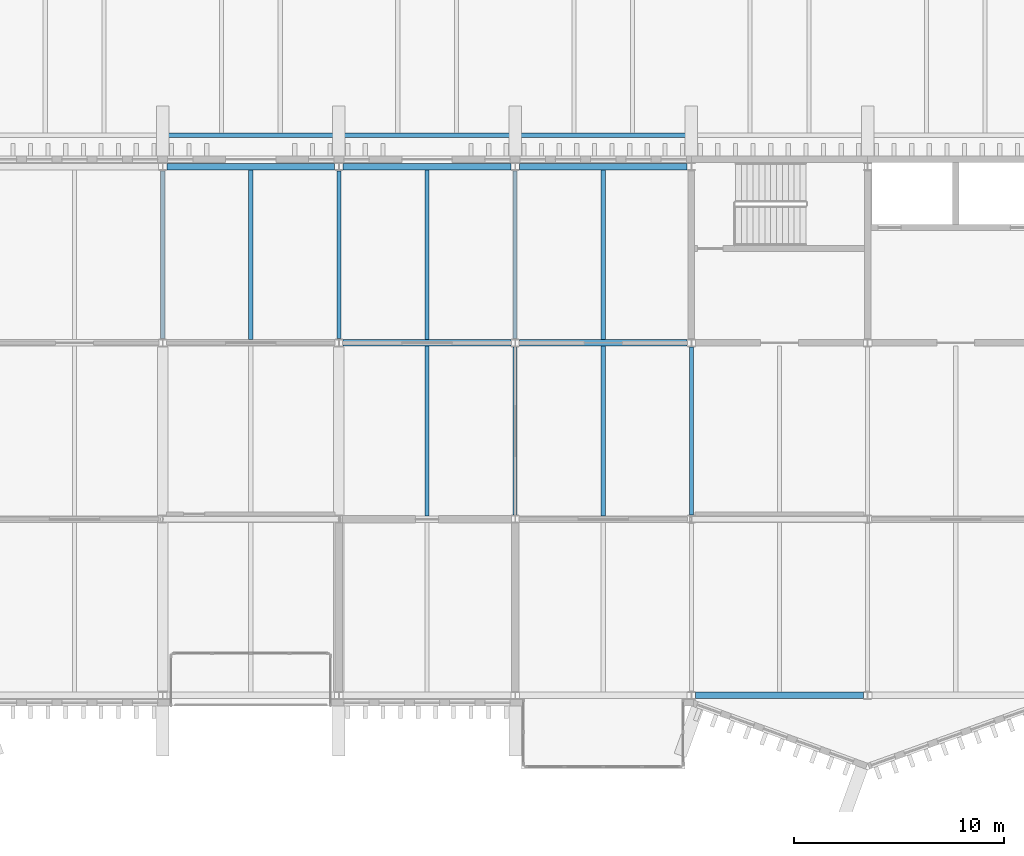
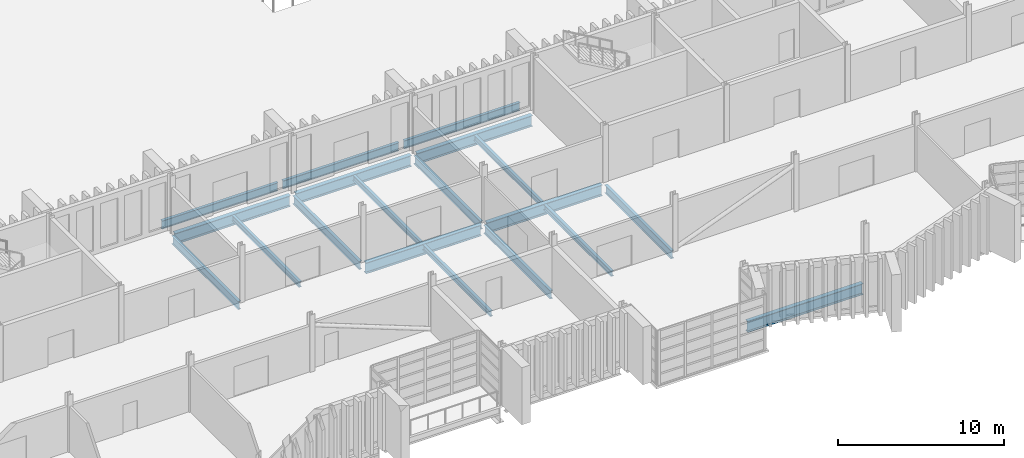
# One storey, part 26 of 96: 19 beams.
"""IFC4 building model written with IfcOpenShell, lengths in metres."""

from ifc_helpers import new_model, si_unit, direction, frame, origin, origin_2d, place, context, subcontext, project, spatial, i_section, extrude, material, material_profile, profile_set, type_object, element, save


model = new_model("IFC4")

# Units and contexts
model_context = context("Model", 3, precision=1e-05, world=origin(), true_north=direction((0.0, 1.0)))
body_context = subcontext(model_context, "Body", "Model", "MODEL_VIEW")
ifc_project = project(units=[si_unit("LENGTHUNIT", "METRE"), si_unit("AREAUNIT", "SQUARE_METRE"), si_unit("VOLUMEUNIT", "CUBIC_METRE"), si_unit("PLANEANGLEUNIT", "RADIAN"), si_unit("MASSUNIT", "GRAM", prefix="KILO")], contexts=[model_context])

# Site, building, storey
site_placement = place(None, origin())
site = spatial("IfcSite", under=ifc_project, at=site_placement, CompositionType="ELEMENT")
building_placement = place(site_placement, origin())
building = spatial("IfcBuilding", under=site, at=building_placement, Name="Cresset Court Congress Hotel", CompositionType="ELEMENT")
storey_placement = place(building_placement, frame((0.0, 0.0, 6.0)))
storey = spatial("IfcBuildingStorey", under=building, at=storey_placement, Name="L01", CompositionType="ELEMENT", Elevation=6.0)

# Beams
ifc_material_1 = material(Name="Structural steel Q355B", Category="steel")
ifc_material_profile_1 = material_profile(ifc_material_1, i_section(OverallWidth=0.199951171875, OverallDepth=0.60009765625, WebThickness=0.010986328125, FlangeThickness=0.01708984375, FilletRadius=0.012939453125, at=origin_2d()), Name="HN600x200x11x17")
ifc_profile_set_1 = profile_set([ifc_material_profile_1], Name="Structural steel Q355B")
beam_type_1 = type_object("IfcBeamType", Name="Steel beam HN600x200x11x17", PredefinedType="BEAM", material=ifc_profile_set_1)
for number, where, z_axis, x_axis, name in (
    (1, (75.77490234375, 26.699951171875, -0.449951171875), (1.0, 0.0, 0.0), (0.0, 1.0, 0.0), "S.dbm.L01.P009"),
    (2, (84.175048828125, 26.699951171875, -0.449951171875), (1.0, 0.0, 0.0), (0.0, 1.0, 0.0), "S.dbm.L01.P010"),
    (3, (92.574951171875, 26.699951171875, -0.449951171875), (1.0, 0.0, 0.0), (0.0, 1.0, 0.0), "S.dbm.L01.P011"),
):
    element("IfcBeam", number, at=place(storey_placement, frame(where, z_axis=z_axis, x_axis=x_axis)), inside=storey, type_object=beam_type_1, Name=name, PredefinedType="BEAM", context=body_context, shape_type="SweptSolid", body=[
        extrude(i_section(OverallWidth=0.199951171875, OverallDepth=0.60009765625, WebThickness=0.010986328125, FlangeThickness=0.01708984375, FilletRadius=0.012939453125, at=origin_2d()), origin(), (0.0, 0.0, 1.0), 8.050048828125),
    ])
for number, where, z_axis, x_axis, name in (
    (4, (75.60009765625, 17.0, -0.449951171875), (0.0, 1.0, 0.0), (-1.0, 0.0, 0.0), "B.by.L01.10C"),
    (5, (84.0, 17.0, -0.449951171875), (0.0, 1.0, 0.0), (-1.0, 0.0, 0.0), "B.by.L01.11C"),
    (6, (92.39990234375, 8.60009765625, -0.449951171875), (0.0, 1.0, 0.0), (-1.0, 0.0, 0.0), "B.by.L01.12B"),
    (7, (92.39990234375, 17.0, -0.449951171875), (0.0, 1.0, 0.0), (-1.0, 0.0, 0.0), "B.by.L01.12C"),
    (8, (100.800048828125, 8.60009765625, -0.449951171875), (0.0, 1.0, 0.0), (-1.0, 0.0, 0.0), "B.by.L01.13B"),
):
    element("IfcBeam", number, at=place(storey_placement, frame(where, z_axis=z_axis, x_axis=x_axis)), inside=storey, type_object=beam_type_1, Name=name, PredefinedType="BEAM", context=body_context, shape_type="SweptSolid", body=[
        extrude(i_section(OverallWidth=0.199951171875, OverallDepth=0.60009765625, WebThickness=0.010986328125, FlangeThickness=0.01708984375, FilletRadius=0.012939453125, at=origin_2d()), origin(), (0.0, 0.0, 1.0), 8.0),
    ])
ifc_material_2 = material(Name="Structural steel Q355B", Category="steel")
ifc_material_profile_2 = material_profile(ifc_material_2, i_section(OverallWidth=0.300048828125, OverallDepth=0.800048828125, WebThickness=0.013916015625, FlangeThickness=0.02587890625, FilletRadius=0.01806640625, at=origin_2d()), Name="HN800x300x14x26")
ifc_profile_set_2 = profile_set([ifc_material_profile_2], Name="Structural steel Q355B")
beam_type_2 = type_object("IfcBeamType", Name="Steel beam HN800x300x14x26", PredefinedType="BEAM", material=ifc_profile_set_2)
for number, where, z_axis, x_axis, name in (
    (9, (101.0, 0.0, -0.550048828125), (1.0, 0.0, 0.0), (0.0, 1.0, 0.0), "B.bx.L01.A13"),
    (10, (84.199951171875, 16.800048828125, -0.550048828125), (1.0, 0.0, 0.0), (0.0, 1.0, 0.0), "B.bx.L01.C11"),
    (11, (92.60009765625, 16.800048828125, -0.550048828125), (1.0, 0.0, 0.0), (0.0, 1.0, 0.0), "B.bx.L01.C12"),
    (12, (75.800048828125, 25.199951171875, -0.550048828125), (1.0, 0.0, 0.0), (0.0, 1.0, 0.0), "B.bx.L01.D10"),
    (13, (84.199951171875, 25.199951171875, -0.550048828125), (1.0, 0.0, 0.0), (0.0, 1.0, 0.0), "B.bx.L01.D11"),
    (14, (92.60009765625, 25.199951171875, -0.550048828125), (1.0, 0.0, 0.0), (0.0, 1.0, 0.0), "B.bx.L01.D12"),
):
    element("IfcBeam", number, at=place(storey_placement, frame(where, z_axis=z_axis, x_axis=x_axis)), inside=storey, type_object=beam_type_2, Name=name, PredefinedType="BEAM", context=body_context, shape_type="SweptSolid", body=[
        extrude(i_section(OverallWidth=0.300048828125, OverallDepth=0.800048828125, WebThickness=0.013916015625, FlangeThickness=0.02587890625, FilletRadius=0.01806640625, at=origin_2d()), origin(), (0.0, 0.0, 1.0), 8.0),
    ])
ifc_material_3 = material(Name="Structural steel Q355B", Category="steel")
ifc_material_profile_3 = material_profile(ifc_material_3, i_section(OverallWidth=0.199951171875, OverallDepth=0.39990234375, WebThickness=0.008056640625, FlangeThickness=0.012939453125, FilletRadius=0.01611328125, at=origin_2d()), Name="HN400x200x8x13")
ifc_profile_set_3 = profile_set([ifc_material_profile_3], Name="Structural steel Q355B")
beam_type_3 = type_object("IfcBeamType", Name="Steel joist HN400x200x8x13", PredefinedType="JOIST", material=ifc_profile_set_3)
beam_1_placement = place(storey_placement, frame((79.800048828125, 16.949951171875, -0.35009765625), z_axis=(0.0, 1.0, 0.0), x_axis=(-1.0, 0.0, 0.0)))
element("IfcBeam", 15, at=beam_1_placement, inside=storey, type_object=beam_type_3, Name="B.bj.L01.10C", PredefinedType="JOIST", context=body_context, shape_type="SweptSolid", body=[
    extrude(i_section(OverallWidth=0.199951171875, OverallDepth=0.39990234375, WebThickness=0.008056640625, FlangeThickness=0.012939453125, FilletRadius=0.01611328125, at=origin_2d()), origin(), (0.0, 0.0, 1.0), 8.10009765625),
])
beam_2_placement = place(storey_placement, frame((88.199951171875, 8.550048828125, -0.35009765625), z_axis=(0.0, 1.0, 0.0), x_axis=(-1.0, 0.0, 0.0)))
element("IfcBeam", 16, at=beam_2_placement, inside=storey, type_object=beam_type_3, Name="B.bj.L01.11B", PredefinedType="JOIST", context=body_context, shape_type="SweptSolid", body=[
    extrude(i_section(OverallWidth=0.199951171875, OverallDepth=0.39990234375, WebThickness=0.008056640625, FlangeThickness=0.012939453125, FilletRadius=0.01611328125, at=origin_2d()), origin(), (0.0, 0.0, 1.0), 8.099853515625),
])
beam_3_placement = place(storey_placement, frame((88.199951171875, 16.949951171875, -0.35009765625), z_axis=(0.0, 1.0, 0.0), x_axis=(-1.0, 0.0, 0.0)))
element("IfcBeam", 17, at=beam_3_placement, inside=storey, type_object=beam_type_3, Name="B.bj.L01.11C", PredefinedType="JOIST", context=body_context, shape_type="SweptSolid", body=[
    extrude(i_section(OverallWidth=0.199951171875, OverallDepth=0.39990234375, WebThickness=0.008056640625, FlangeThickness=0.012939453125, FilletRadius=0.01611328125, at=origin_2d()), origin(), (0.0, 0.0, 1.0), 8.10009765625),
])
beam_4_placement = place(storey_placement, frame((96.60009765625, 8.550048828125, -0.35009765625), z_axis=(0.0, 1.0, 0.0), x_axis=(-1.0, 0.0, 0.0)))
element("IfcBeam", 18, at=beam_4_placement, inside=storey, type_object=beam_type_3, Name="B.bj.L01.12B", PredefinedType="JOIST", context=body_context, shape_type="SweptSolid", body=[
    extrude(i_section(OverallWidth=0.199951171875, OverallDepth=0.39990234375, WebThickness=0.008056640625, FlangeThickness=0.012939453125, FilletRadius=0.01611328125, at=origin_2d()), origin(), (0.0, 0.0, 1.0), 8.099853515625),
])
beam_5_placement = place(storey_placement, frame((96.60009765625, 16.949951171875, -0.35009765625), z_axis=(0.0, 1.0, 0.0), x_axis=(-1.0, 0.0, 0.0)))
element("IfcBeam", 19, at=beam_5_placement, inside=storey, type_object=beam_type_3, Name="B.bj.L01.12C", PredefinedType="JOIST", context=body_context, shape_type="SweptSolid", body=[
    extrude(i_section(OverallWidth=0.199951171875, OverallDepth=0.39990234375, WebThickness=0.008056640625, FlangeThickness=0.012939453125, FilletRadius=0.01611328125, at=origin_2d()), origin(), (0.0, 0.0, 1.0), 8.10009765625),
])

save(model, "model.ifc")
